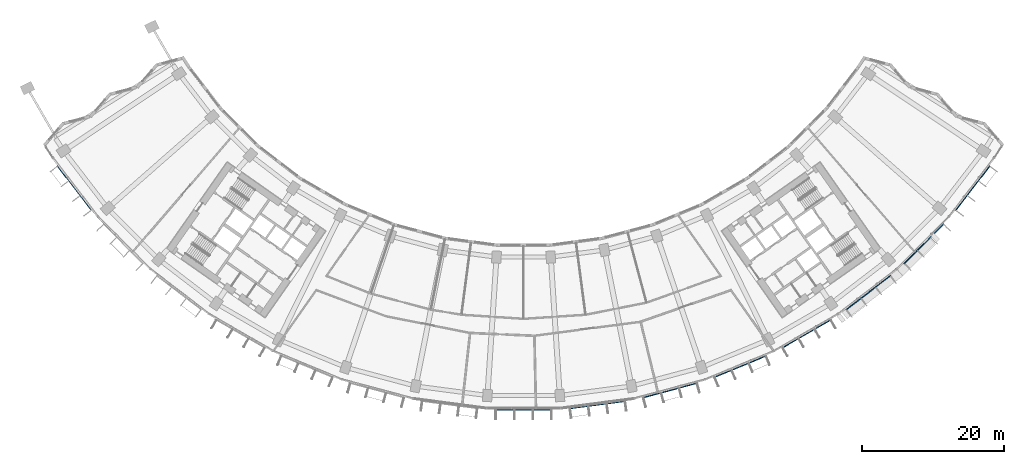
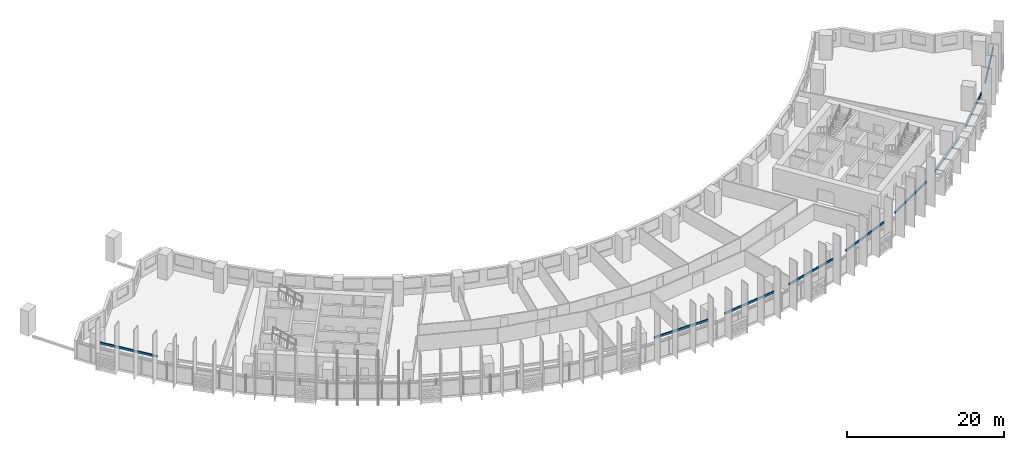
# One storey, part 9 of 31: 9 discrete accessories.
"""IFC4 building model written with IfcOpenShell, lengths in metres."""

from ifc_helpers import new_model, si_unit, direction, frame, origin, origin_2d, place, context, subcontext, project, spatial, rectangle, extrude, material, type_object, element, save


model = new_model("IFC4")

# Units and contexts
model_context = context("Model", 3, precision=1e-05, world=origin(), true_north=direction((0.0, 1.0)))
body_context = subcontext(model_context, "Body", "Model", "MODEL_VIEW")
ifc_project = project(units=[si_unit("LENGTHUNIT", "METRE"), si_unit("AREAUNIT", "SQUARE_METRE"), si_unit("VOLUMEUNIT", "CUBIC_METRE"), si_unit("PLANEANGLEUNIT", "RADIAN"), si_unit("MASSUNIT", "GRAM", prefix="KILO")], contexts=[model_context])

# Site, building, storey
site_placement = place(None, origin())
site = spatial("IfcSite", under=ifc_project, at=site_placement, CompositionType="ELEMENT")
building_placement = place(site_placement, origin())
building = spatial("IfcBuilding", under=site, at=building_placement, Name="Qamariyya Broadcast Tower", CompositionType="ELEMENT")
storey_placement = place(building_placement, frame((0.0, 0.0, 55.699951171875)))
storey = spatial("IfcBuildingStorey", under=building, at=storey_placement, Name="L10", CompositionType="ELEMENT", Elevation=55.699951171875)

# Discrete accessories
ifc_material = material(Name="Stainless steel 316", Category="steel")
discrete_accessory_type = type_object("IfcDiscreteAccessoryType", Name="Slab edge fixing angle, stainless steel", PredefinedType="BRACKET", material=ifc_material)
for number, where, z_axis, x_axis, name in (
    (1, (-63.11474609375, -48.4296875, 3.2998046875), (0.0, 0.0, 1.0), (0.608761429009, -0.793353340291, 0.0), "e-br-L10-01-0"),
    (2, (0.0, -79.554443359375, 3.2998046875), (0.0, 0.0, 1.0), (1.0, 0.0, 0.0), "e-br-L10-08-0"),
    (3, (10.384033203125, -78.873779296875, 3.2998046875), (0.0, 0.0, 1.0), (0.991444861374, 0.13052619222, 0.0), "e-br-L10-09-0"),
    (4, (20.59033203125, -76.84375, 3.2998046875), (0.0, 0.0, 1.0), (0.965925826289, 0.258819045103, 0.0), "e-br-L10-10-0"),
    (5, (30.444091796875, -73.498779296875, 3.2998046875), (0.0, 0.0, 1.0), (0.923879532511, 0.382683432365, 0.0), "e-br-L10-11-0"),
    (6, (39.77734375, -68.896240234375, 3.2998046875), (0.0, 0.0, 1.0), (0.866025403784, 0.5, 0.0), "e-br-L10-12-0"),
    (7, (48.4296875, -63.11474609375, 3.2998046875), (0.0, 0.0, 1.0), (0.793353340291, 0.608761429009, 0.0), "e-br-L10-13-0"),
    (8, (56.25341796875, -56.25341796875, 3.2998046875), (0.0, 0.0, 1.0), (0.707106781187, 0.707106781187, 0.0), "e-br-L10-14-0"),
    (9, (63.11474609375, -48.4296875, 3.2998046875), (0.0, 0.0, 1.0), (0.608761429009, 0.793353340291, 0.0), "e-br-L10-15-0"),
):
    element("IfcDiscreteAccessory", number, at=place(storey_placement, frame(where, z_axis=z_axis, x_axis=x_axis)), inside=storey, type_object=discrete_accessory_type, Name=name, PredefinedType="BRACKET", context=body_context, shape_type="SweptSolid", body=[
        extrude(rectangle(XDim=7.9140625, YDim=0.14990234375, at=origin_2d()), origin(), (0.0, 0.0, 1.0), 0.300048828125),
    ])

save(model, "model.ifc")
